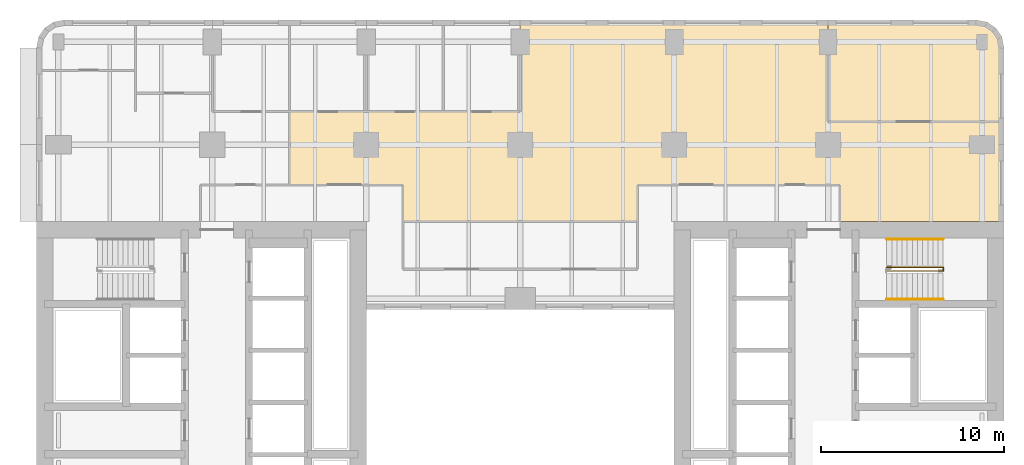
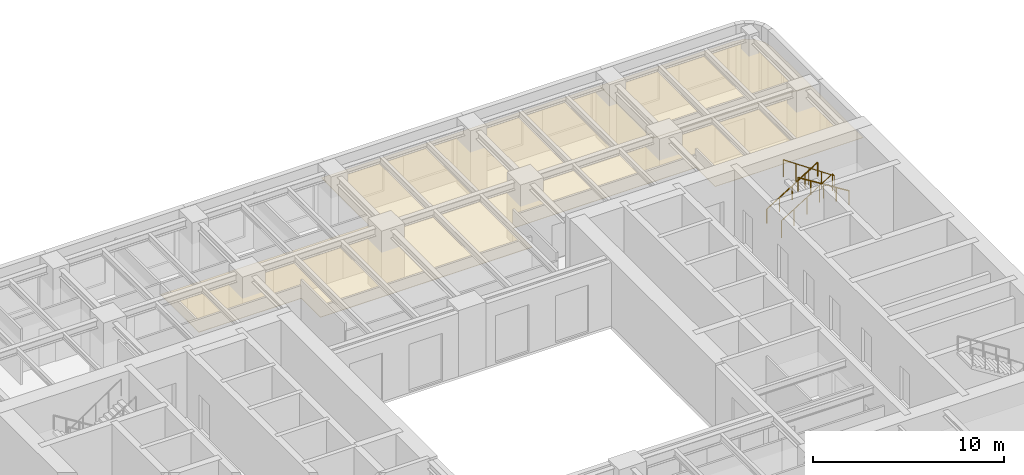
# One storey, part 11 of 11: 3 railings, 2 coverings.
"""IFC4 building model written with IfcOpenShell, lengths in metres."""

from ifc_helpers import new_model, si_unit, direction, frame, origin, origin_2d, place, context, subcontext, project, spatial, polyline, circle, outline, extrude, material, layer, layer_set, type_object, element, save


model = new_model("IFC4")

# Units and contexts
model_context = context("Model", 3, precision=1e-05, world=origin(), true_north=direction((0.0, 1.0)))
body_context = subcontext(model_context, "Body", "Model", "MODEL_VIEW")
ifc_project = project(units=[si_unit("LENGTHUNIT", "METRE"), si_unit("AREAUNIT", "SQUARE_METRE"), si_unit("VOLUMEUNIT", "CUBIC_METRE"), si_unit("PLANEANGLEUNIT", "RADIAN"), si_unit("MASSUNIT", "GRAM", prefix="KILO")], contexts=[model_context])

# Site, building, storey
site_placement = place(None, origin())
site = spatial("IfcSite", under=ifc_project, at=site_placement, CompositionType="ELEMENT")
building_placement = place(site_placement, origin())
building = spatial("IfcBuilding", under=site, at=building_placement, Name="Claustro Exchange Tower", CompositionType="ELEMENT")
storey_placement = place(building_placement, frame((0.0, 0.0, 126.0)))
storey = spatial("IfcBuildingStorey", under=building, at=storey_placement, Name="L28", CompositionType="ELEMENT", Elevation=126.0)

# Coverings
ifc_material_1 = material(Name="Gypsum board ceiling", Category="gypsum board")
ifc_layer = layer(ifc_material_1, 0.02490234375)
ifc_layer_set = layer_set([ifc_layer], Name="Gypsum board ceiling")
covering_type = type_object("IfcCoveringType", Name="CL2 plasterboard ceiling", PredefinedType="CEILING", material=ifc_layer_set)
covering_1_placement = place(storey_placement, frame((0.0, 0.0, 2.800048828125)))
element("IfcCovering", 1, at=covering_1_placement, inside=storey, type_object=covering_type, Name="Ceiling CL2 L28-18", PredefinedType="CEILING", context=body_context, shape_type="SweptSolid", body=[
    extrude(outline(polyline([(42.0, 48.800048828125), (25.199951171875, 48.800048828125), (25.199951171875, 43.800048828125), (21.0, 43.800048828125), (16.800048828125, 43.800048828125), (12.60009765625, 43.800048828125), (12.60009765625, 39.800048828125), (18.800048828125, 39.800048828125), (18.800048828125, 37.800048828125), (31.60009765625, 37.800048828125), (31.60009765625, 39.800048828125), (42.64990234375, 39.800048828125), (42.64990234375, 37.800048828125), (51.60009765625, 37.800048828125), (51.60009765625, 43.25), (42.0, 43.25), (42.0, 48.800048828125)])), origin(), (0.0, 0.0, 1.0), 0.02490234375),
])
covering_2_placement = place(storey_placement, frame((0.0, 0.0, 2.800048828125)))
element("IfcCovering", 2, at=covering_2_placement, inside=storey, type_object=covering_type, Name="Ceiling CL2 L28-19", PredefinedType="CEILING", context=body_context, shape_type="SweptSolid", body=[
    extrude(outline(polyline([(50.10009765625, 48.800048828125), (42.0, 48.800048828125), (42.0, 43.25), (51.60009765625, 43.25), (51.60009765625, 47.300048828125), (51.48583984375, 47.8740234375), (51.16064453125, 48.360595703125), (50.674072265625, 48.685791015625), (50.10009765625, 48.800048828125)])), origin(), (0.0, 0.0, 1.0), 0.02490234375),
])

# Railings
ifc_material_2 = material(Name="Steel balustrade, painted", Category="steel")
railing_type_1 = type_object("IfcRailingType", Name="GR2 1100 steel stair guard", PredefinedType="GUARDRAIL", material=ifc_material_2)
railing_1_placement = place(storey_placement, frame((45.199951171875, 35.300048828125, 0.175048828125)))
element("IfcRailing", 3, at=railing_1_placement, inside=storey, type_object=railing_type_1, Name="Stair well guard GR2 stair STEB L28", PredefinedType="GUARDRAIL", context=body_context, shape_type="SweptSolid", body=[
    extrude(circle(Radius=0.02392578125, at=origin_2d()), frame((0.0, 0.0, 1.076171875), z_axis=(0.847998304005, 0.0, 0.529998940003), x_axis=(0.0, 1.0, 0.0)), (0.0, 0.0, 1.0), 3.632080078125),
    extrude(circle(Radius=0.02392578125, at=origin_2d()), frame((3.080078125, 0.0, 3.0009765625), z_axis=(0.0, -1.0, 0.0), x_axis=(1.0, 0.0, 0.0)), (0.0, 0.0, 1.0), 0.199951171875),
    extrude(circle(Radius=0.02392578125, at=origin_2d()), frame((3.080078125, -0.199951171875, 3.0009765625), z_axis=(-0.826252282691, 0.0, 0.563300244406), x_axis=(0.0, -1.0, 0.0)), (0.0, 0.0, 1.0), 3.727783203125),
    extrude(circle(Radius=0.02099609375, at=origin_2d()), origin(), (0.0, 0.0, 1.0), 1.052001953125),
    extrude(circle(Radius=0.02099609375, at=origin_2d()), frame((0.77001953125, 0.0, 0.481201171875)), (0.0, 0.0, 1.0), 1.052001953125),
    extrude(circle(Radius=0.02099609375, at=origin_2d()), frame((1.5400390625, 0.0, 0.96240234375)), (0.0, 0.0, 1.0), 1.052001953125),
    extrude(circle(Radius=0.02099609375, at=origin_2d()), frame((2.31005859375, 0.0, 1.44384765625)), (0.0, 0.0, 1.0), 1.052001953125),
    extrude(circle(Radius=0.02099609375, at=origin_2d()), frame((3.080078125, 0.0, 1.925048828125)), (0.0, 0.0, 1.0), 1.052001953125),
    extrude(circle(Radius=0.02099609375, at=origin_2d()), frame((3.080078125, -0.199951171875, 1.925048828125)), (0.0, 0.0, 1.0), 1.052001953125),
    extrude(circle(Radius=0.02099609375, at=origin_2d()), frame((2.31005859375, -0.199951171875, 2.449951171875)), (0.0, 0.0, 1.0), 1.052001953125),
    extrude(circle(Radius=0.02099609375, at=origin_2d()), frame((1.5400390625, -0.199951171875, 2.97509765625)), (0.0, 0.0, 1.0), 1.052001953125),
    extrude(circle(Radius=0.02099609375, at=origin_2d()), frame((0.77001953125, -0.199951171875, 3.5)), (0.0, 0.0, 1.0), 1.052001953125),
    extrude(circle(Radius=0.02099609375, at=origin_2d()), frame((0.0, -0.199951171875, 4.02490234375)), (0.0, 0.0, 1.0), 1.052001953125),
])
ifc_material_3 = material(Name="Stainless steel tube", Category="steel")
railing_type_2 = type_object("IfcRailingType", Name="HR1 900 stair handrail", PredefinedType="HANDRAIL", material=ifc_material_3)
railing_2_placement = place(storey_placement, frame((45.199951171875, 36.840087890625, 0.175048828125)))
element("IfcRailing", 4, at=railing_2_placement, inside=storey, type_object=railing_type_2, Name="Handrail HR1 stair STEB L28", PredefinedType="HANDRAIL", context=body_context, shape_type="SweptSolid", body=[
    extrude(circle(Radius=0.02392578125, at=origin_2d()), frame((0.0, 0.0, 0.8759765625), z_axis=(0.847998304005, 0.0, 0.529998940003), x_axis=(0.0, 1.0, 0.0)), (0.0, 0.0, 1.0), 3.632080078125),
    extrude(circle(Radius=0.02099609375, at=origin_2d()), origin(), (0.0, 0.0, 1.0), 0.851806640625),
    extrude(circle(Radius=0.02099609375, at=origin_2d()), frame((0.77001953125, 0.0, 0.481201171875)), (0.0, 0.0, 1.0), 0.851806640625),
    extrude(circle(Radius=0.02099609375, at=origin_2d()), frame((1.5400390625, 0.0, 0.96240234375)), (0.0, 0.0, 1.0), 0.851806640625),
    extrude(circle(Radius=0.02099609375, at=origin_2d()), frame((2.31005859375, 0.0, 1.44384765625)), (0.0, 0.0, 1.0), 0.851806640625),
    extrude(circle(Radius=0.02099609375, at=origin_2d()), frame((3.080078125, 0.0, 1.925048828125)), (0.0, 0.0, 1.0), 0.851806640625),
])
railing_3_placement = place(storey_placement, frame((48.280029296875, 33.56005859375, 2.27490234375)))
element("IfcRailing", 5, at=railing_3_placement, inside=storey, type_object=railing_type_2, Name="Handrail HR1 stair STEB L28", PredefinedType="HANDRAIL", context=body_context, shape_type="SweptSolid", body=[
    extrude(circle(Radius=0.02392578125, at=origin_2d()), frame((0.0, 0.0, 0.8759765625), z_axis=(-0.847998304005, 0.0, 0.529998940003), x_axis=(0.0, -1.0, 0.0)), (0.0, 0.0, 1.0), 3.632080078125),
    extrude(circle(Radius=0.02099609375, at=origin_2d()), origin(), (0.0, 0.0, 1.0), 0.851806640625),
    extrude(circle(Radius=0.02099609375, at=origin_2d()), frame((-0.77001953125, 0.0, 0.481201171875)), (0.0, 0.0, 1.0), 0.851806640625),
    extrude(circle(Radius=0.02099609375, at=origin_2d()), frame((-1.5400390625, 0.0, 0.96240234375)), (0.0, 0.0, 1.0), 0.851806640625),
    extrude(circle(Radius=0.02099609375, at=origin_2d()), frame((-2.31005859375, 0.0, 1.44384765625)), (0.0, 0.0, 1.0), 0.851806640625),
    extrude(circle(Radius=0.02099609375, at=origin_2d()), frame((-3.080078125, 0.0, 1.925048828125)), (0.0, 0.0, 1.0), 0.851806640625),
])

save(model, "model.ifc")
